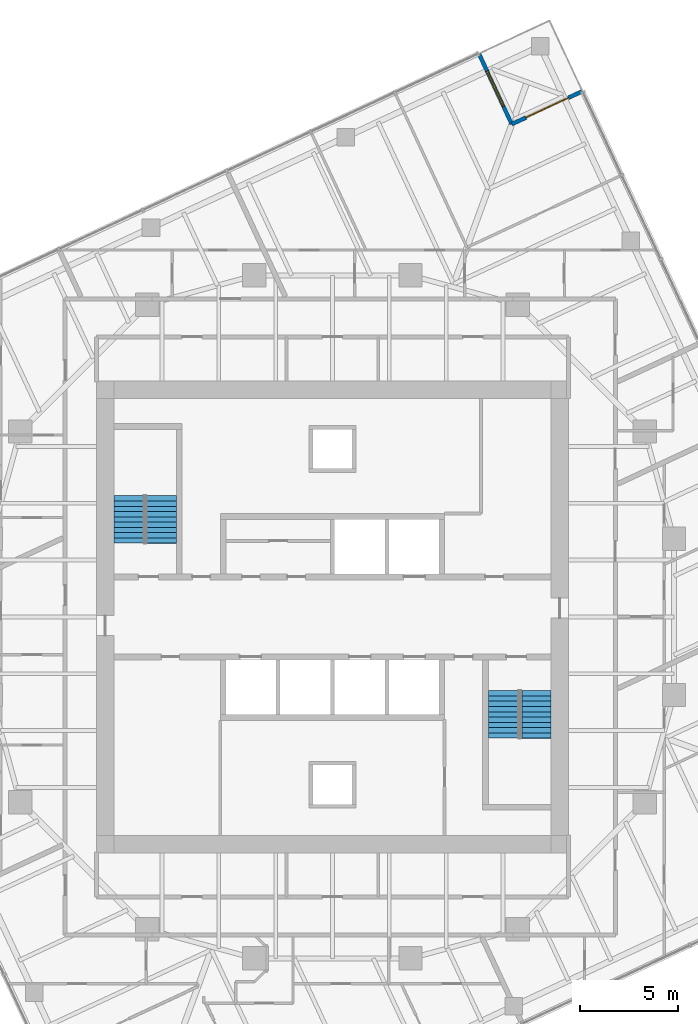
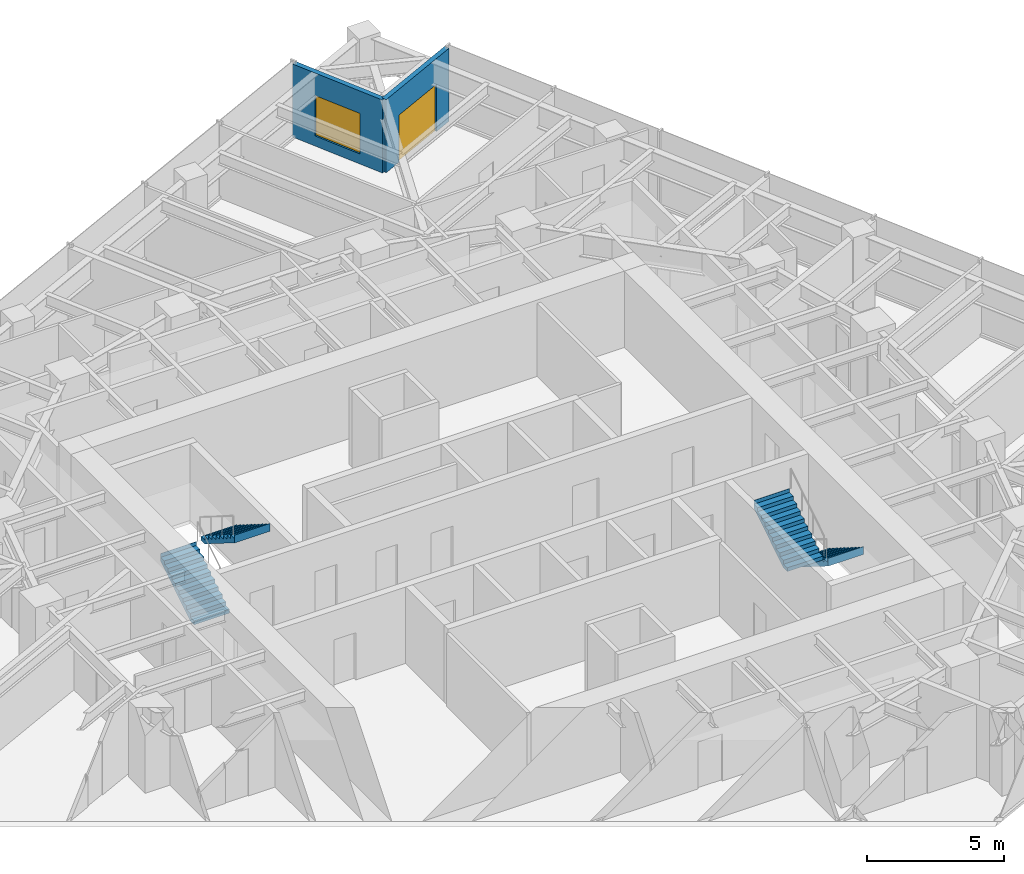
# One storey, part 12 of 13: 4 stair flights, 2 walls, 1 door, 1 window, 2 openings, 2 elements without a shape of their own.
"""IFC4 building model written with IfcOpenShell, lengths in metres."""

from ifc_helpers import new_model, si_unit, direction, frame, frame_2d, origin, place, context, subcontext, project, spatial, polyline, rectangle, outline, extrude, material, layer, layer_set, type_object, element, fill, aggregate, save


model = new_model("IFC4")

# Units and contexts
model_context = context("Model", 3, precision=1e-05, world=origin(), true_north=direction((0.0, 1.0)))
body_context = subcontext(model_context, "Body", "Model", "MODEL_VIEW")
ifc_project = project(units=[si_unit("LENGTHUNIT", "METRE"), si_unit("AREAUNIT", "SQUARE_METRE"), si_unit("VOLUMEUNIT", "CUBIC_METRE"), si_unit("PLANEANGLEUNIT", "RADIAN"), si_unit("MASSUNIT", "GRAM", prefix="KILO")], contexts=[model_context])

# Site, building, storey
site_placement = place(None, origin())
site = spatial("IfcSite", under=ifc_project, at=site_placement, CompositionType="ELEMENT")
building_placement = place(site_placement, origin())
building = spatial("IfcBuilding", under=site, at=building_placement, Name="Torsade Residences", CompositionType="ELEMENT")
storey_placement = place(building_placement, frame((0.0, 0.0, 176.0)))
storey = spatial("IfcBuildingStorey", under=building, at=storey_placement, Name="L48", CompositionType="ELEMENT", Elevation=176.0)

# Wall, opening, door
ifc_material_1 = material(Name="Stone-faced precast concrete 40 MPa panel", Category="masonry")
ifc_layer = layer(ifc_material_1, 0.199951171875)
ifc_layer_set = layer_set([ifc_layer], Name="Stone-faced precast concrete 40 MPa panel")
wall_type = type_object("IfcWallType", Name="TERRACE WALL 200", PredefinedType="SOLIDWALL", material=ifc_layer_set)
wall_1_placement = place(storey_placement, frame((52.8154296875, 56.940185546875, 0.0), z_axis=(0.0, 0.0, 1.0), x_axis=(-0.906289140828, -0.422658246362, 0.0)))
wall_1 = element("IfcWall", 1, at=wall_1_placement, inside=storey, type_object=wall_type, Name="Terrace wall L48 5", PredefinedType="SOLIDWALL", context=body_context, shape_type="SweptSolid", body=[
    extrude(rectangle(XDim=4.0, YDim=0.199951171875, at=frame_2d((2.0, 0.0))), origin(), (0.0, 0.0, 1.0), 3.25),
])
opening_1_placement = place(wall_1_placement, frame((0.800048828125, 0.0, 0.0)))
opening_1 = element("IfcOpeningElement", 2, at=opening_1_placement, cuts=wall_1, Name="Opening D10A", PredefinedType="OPENING", context=body_context, shape_type="SweptSolid", body=[
    extrude(rectangle(XDim=2.39990234375, YDim=2.10009765625, at=frame_2d((1.199951171875, 1.050048828125))), frame((0.0, 0.10986328125, 0.0), z_axis=(0.0, -1.0, 0.0), x_axis=(1.0, 0.0, 0.0)), (0.0, 0.0, 1.0), 0.219970703125),
])
ifc_material_2 = material(Name="Aluminium-framed glass door", Category="aluminium")
door_type = type_object("IfcDoorType", Name="TERRACE SLIDING DOOR 2400x2100", OperationType="SLIDING_TO_LEFT", PredefinedType="DOOR", material=ifc_material_2)
door_placement = place(opening_1_placement, origin())
door = element("IfcDoor", 3, at=door_placement, inside=storey, type_object=door_type, Name="Terrace door L48 5", OperationType="SLIDING_TO_LEFT", OverallHeight=2.10009765625, OverallWidth=2.39990234375, PredefinedType="DOOR", context=body_context, shape_type="SweptSolid", body=[
    extrude(rectangle(XDim=2.39990234375, YDim=2.10009765625, at=frame_2d((1.199951171875, 1.050048828125))), frame((0.0, 0.02490234375, 0.0), z_axis=(0.0, -1.0, 0.0), x_axis=(1.0, 0.0, 0.0)), (0.0, 0.0, 1.0), 0.050048828125),
])
fill(opening_1, door)

# Wall, opening, window
wall_2_placement = place(storey_placement, frame((49.190185546875, 55.24951171875, 0.0), z_axis=(0.0, 0.0, 1.0), x_axis=(-0.422658246362, 0.906289140828, 0.0)))
wall_2 = element("IfcWall", 4, at=wall_2_placement, inside=storey, type_object=wall_type, Name="Terrace wall L48 6", PredefinedType="SOLIDWALL", context=body_context, shape_type="SweptSolid", body=[
    extrude(rectangle(XDim=4.0, YDim=0.199951171875, at=frame_2d((2.0, 0.0))), origin(), (0.0, 0.0, 1.0), 3.25),
])
opening_2_placement = place(wall_2_placement, frame((1.0, 0.0, 0.449951171875)))
opening_2 = element("IfcOpeningElement", 5, at=opening_2_placement, cuts=wall_2, Name="Opening W1B", PredefinedType="OPENING", context=body_context, shape_type="SweptSolid", body=[
    extrude(rectangle(XDim=2.0, YDim=1.800048828125, at=frame_2d((1.0, 0.89990234375))), frame((0.0, 0.10986328125, 0.0), z_axis=(0.0, -1.0, 0.0), x_axis=(1.0, 0.0, 0.0)), (0.0, 0.0, 1.0), 0.219970703125),
])
ifc_material_3 = material(Name="Aluminium-framed glass window", Category="aluminium")
window_type = type_object("IfcWindowType", Name="TERRACE WINDOW 2000x1800", PartitioningType="SINGLE_PANEL", PredefinedType="WINDOW", material=ifc_material_3)
window_placement = place(opening_2_placement, origin())
window = element("IfcWindow", 6, at=window_placement, inside=storey, type_object=window_type, Name="Terrace window L48 6", OverallHeight=1.800048828125, OverallWidth=2.0, PartitioningType="SINGLE_PANEL", PredefinedType="WINDOW", context=body_context, shape_type="SweptSolid", body=[
    extrude(rectangle(XDim=2.0, YDim=1.800048828125, at=frame_2d((1.0, 0.89990234375))), frame((0.0, 0.030029296875, 0.0), z_axis=(0.0, -1.0, 0.0), x_axis=(1.0, 0.0, 0.0)), (0.0, 0.0, 1.0), 0.06005859375),
])
fill(opening_2, window)

# Stair, stair flights
ifc_material_4 = material(Name="Precast concrete 40 MPa", Category="concrete")
stair_type = type_object("IfcStairType", Name="HALF-TURN FIRE STAIR 1500x3400", PredefinedType="HALF_TURN_STAIR", material=ifc_material_4)
stair_1_placement = place(storey_placement, origin())
stair_1 = element("IfcStair", 7, at=stair_1_placement, inside=storey, type_object=stair_type, Name="Stair ST1 L48", PredefinedType="HALF_TURN_STAIR")
ifc_material_5 = material(Name="Precast concrete 40 MPa", Category="concrete")
stair_flight_type = type_object("IfcStairFlightType", Name="PRECAST STAIR FLIGHT 1500x1700", PredefinedType="STRAIGHT", material=ifc_material_5)
stair_flight_1_placement = place(storey_placement, frame((29.550048828125, 33.780029296875, 0.0), z_axis=(0.0, 0.0, 1.0), x_axis=(0.0, 1.0, 0.0)))
stair_flight_1 = element("IfcStairFlight", 8, at=stair_flight_1_placement, type_object=stair_flight_type, Name="ST1 flight 1", NumberOfRisers=10, NumberOfTreads=9, PredefinedType="STRAIGHT", RiserHeight=0.17, TreadLength=0.27, context=body_context, shape_type="SweptSolid", body=[
    extrude(outline(polyline([(0.0, 0.0), (0.0, 0.169921875), (0.27001953125, 0.169921875), (0.27001953125, 0.340087890625), (0.5400390625, 0.340087890625), (0.5400390625, 0.510009765625), (0.81005859375, 0.510009765625), (0.81005859375, 0.679931640625), (1.080078125, 0.679931640625), (1.080078125, 0.85009765625), (1.35009765625, 0.85009765625), (1.35009765625, 1.02001953125), (1.6201171875, 1.02001953125), (1.6201171875, 1.18994140625), (1.889892578125, 1.18994140625), (1.889892578125, 1.360107421875), (2.159912109375, 1.360107421875), (2.159912109375, 1.530029296875), (2.429931640625, 1.530029296875), (2.429931640625, 1.699951171875), (2.43994140625, 1.699951171875), (2.43994140625, 1.352783203125), (2.429931640625, 1.352783203125), (0.28125, 0.0), (0.0, 0.0)])), frame((0.0, 0.75, 0.0), z_axis=(0.0, -1.0, 0.0), x_axis=(1.0, 0.0, 0.0)), (0.0, 0.0, 1.0), 1.5),
])
stair_flight_2_placement = place(storey_placement, frame((31.25, 36.2099609375, 1.699951171875), z_axis=(0.0, 0.0, 1.0), x_axis=(0.0, -1.0, 0.0)))
stair_flight_2 = element("IfcStairFlight", 9, at=stair_flight_2_placement, type_object=stair_flight_type, Name="ST1 flight 2", NumberOfRisers=10, NumberOfTreads=9, PredefinedType="STRAIGHT", RiserHeight=0.17, TreadLength=0.27, context=body_context, shape_type="SweptSolid", body=[
    extrude(outline(polyline([(0.0, 0.0), (0.0, 0.169921875), (0.27001953125, 0.169921875), (0.27001953125, 0.340087890625), (0.5400390625, 0.340087890625), (0.5400390625, 0.510009765625), (0.81005859375, 0.510009765625), (0.81005859375, 0.679931640625), (1.080078125, 0.679931640625), (1.080078125, 0.85009765625), (1.35009765625, 0.85009765625), (1.35009765625, 1.02001953125), (1.6201171875, 1.02001953125), (1.6201171875, 1.18994140625), (1.889892578125, 1.18994140625), (1.889892578125, 1.360107421875), (2.159912109375, 1.360107421875), (2.159912109375, 1.530029296875), (2.429931640625, 1.530029296875), (2.429931640625, 1.699951171875), (2.43994140625, 1.699951171875), (2.43994140625, 1.352783203125), (2.429931640625, 1.352783203125), (0.28125, 0.0), (0.0, 0.0)])), frame((0.0, 0.75, 0.0), z_axis=(0.0, -1.0, 0.0), x_axis=(1.0, 0.0, 0.0)), (0.0, 0.0, 1.0), 1.5),
])
aggregate(stair_1, [stair_flight_1, stair_flight_2])

stair_2_placement = place(storey_placement, origin())
stair_2 = element("IfcStair", 10, at=stair_2_placement, inside=storey, type_object=stair_type, Name="Stair ST2 L48", PredefinedType="HALF_TURN_STAIR")
stair_flight_3_placement = place(storey_placement, frame((50.449951171875, 26.219970703125, 0.0), z_axis=(0.0, 0.0, 1.0), x_axis=(0.0, -1.0, 0.0)))
stair_flight_3 = element("IfcStairFlight", 11, at=stair_flight_3_placement, type_object=stair_flight_type, Name="ST2 flight 1", NumberOfRisers=10, NumberOfTreads=9, PredefinedType="STRAIGHT", RiserHeight=0.17, TreadLength=0.27, context=body_context, shape_type="SweptSolid", body=[
    extrude(outline(polyline([(0.0, 0.0), (0.0, 0.169921875), (0.27001953125, 0.169921875), (0.27001953125, 0.340087890625), (0.5400390625, 0.340087890625), (0.5400390625, 0.510009765625), (0.81005859375, 0.510009765625), (0.81005859375, 0.679931640625), (1.080078125, 0.679931640625), (1.080078125, 0.85009765625), (1.35009765625, 0.85009765625), (1.35009765625, 1.02001953125), (1.6201171875, 1.02001953125), (1.6201171875, 1.18994140625), (1.889892578125, 1.18994140625), (1.889892578125, 1.360107421875), (2.159912109375, 1.360107421875), (2.159912109375, 1.530029296875), (2.429931640625, 1.530029296875), (2.429931640625, 1.699951171875), (2.43994140625, 1.699951171875), (2.43994140625, 1.352783203125), (2.429931640625, 1.352783203125), (0.28125, 0.0), (0.0, 0.0)])), frame((0.0, 0.75, 0.0), z_axis=(0.0, -1.0, 0.0), x_axis=(1.0, 0.0, 0.0)), (0.0, 0.0, 1.0), 1.5),
])
stair_flight_4_placement = place(storey_placement, frame((48.75, 23.7900390625, 1.699951171875), z_axis=(0.0, 0.0, 1.0), x_axis=(0.0, 1.0, 0.0)))
stair_flight_4 = element("IfcStairFlight", 12, at=stair_flight_4_placement, type_object=stair_flight_type, Name="ST2 flight 2", NumberOfRisers=10, NumberOfTreads=9, PredefinedType="STRAIGHT", RiserHeight=0.17, TreadLength=0.27, context=body_context, shape_type="SweptSolid", body=[
    extrude(outline(polyline([(0.0, 0.0), (0.0, 0.169921875), (0.27001953125, 0.169921875), (0.27001953125, 0.340087890625), (0.5400390625, 0.340087890625), (0.5400390625, 0.510009765625), (0.81005859375, 0.510009765625), (0.81005859375, 0.679931640625), (1.080078125, 0.679931640625), (1.080078125, 0.85009765625), (1.35009765625, 0.85009765625), (1.35009765625, 1.02001953125), (1.6201171875, 1.02001953125), (1.6201171875, 1.18994140625), (1.889892578125, 1.18994140625), (1.889892578125, 1.360107421875), (2.159912109375, 1.360107421875), (2.159912109375, 1.530029296875), (2.429931640625, 1.530029296875), (2.429931640625, 1.699951171875), (2.43994140625, 1.699951171875), (2.43994140625, 1.352783203125), (2.429931640625, 1.352783203125), (0.28125, 0.0), (0.0, 0.0)])), frame((0.0, 0.75, 0.0), z_axis=(0.0, -1.0, 0.0), x_axis=(1.0, 0.0, 0.0)), (0.0, 0.0, 1.0), 1.5),
])
aggregate(stair_2, [stair_flight_3, stair_flight_4])

save(model, "model.ifc")
